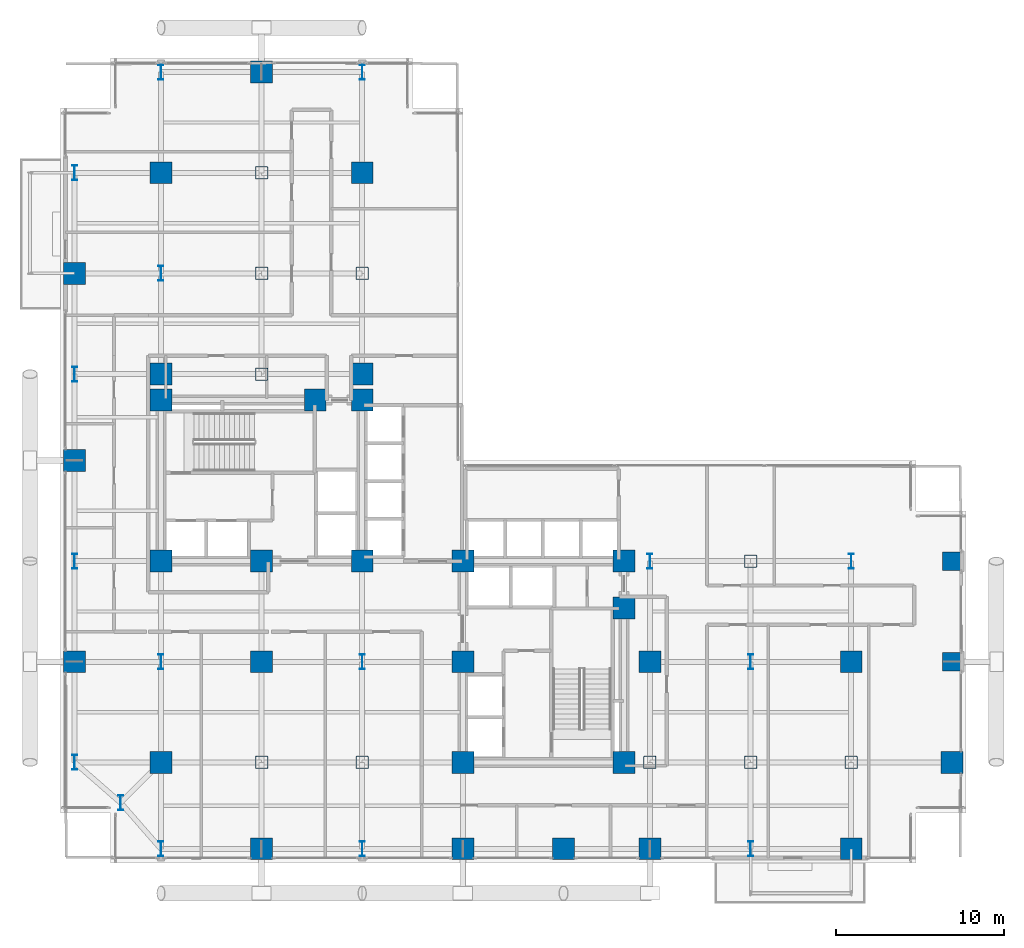
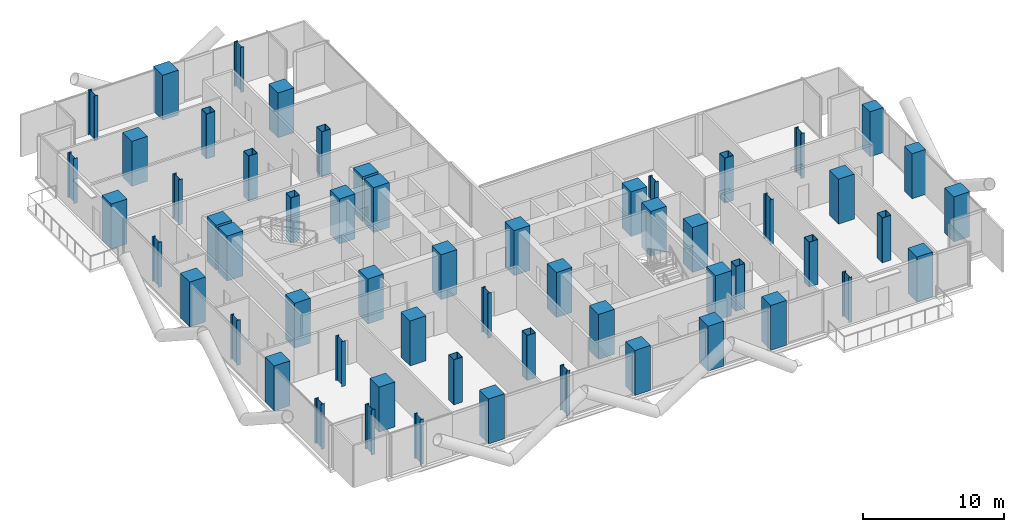
# One storey, part 1 of 27: 58 columns.
"""IFC4 building model written with IfcOpenShell, lengths in metres."""

from ifc_helpers import new_model, si_unit, direction, frame, origin, origin_2d, place, context, subcontext, project, spatial, rectangle, hollow_rectangle, i_section, extrude, material, material_profile, profile_set, type_object, element, save


model = new_model("IFC4")

# Units and contexts
model_context = context("Model", 3, precision=1e-05, world=origin(), true_north=direction((0.0, 1.0)))
body_context = subcontext(model_context, "Body", "Model", "MODEL_VIEW")
ifc_project = project(units=[si_unit("LENGTHUNIT", "METRE"), si_unit("AREAUNIT", "SQUARE_METRE"), si_unit("VOLUMEUNIT", "CUBIC_METRE"), si_unit("PLANEANGLEUNIT", "RADIAN"), si_unit("MASSUNIT", "GRAM", prefix="KILO"), si_unit("THERMODYNAMICTEMPERATUREUNIT", "KELVIN"), si_unit("POWERUNIT", "WATT")], contexts=[model_context])

# Site, building, storey
site_placement = place(None, origin())
site = spatial("IfcSite", under=ifc_project, at=site_placement, CompositionType="ELEMENT")
building_placement = place(site_placement, origin())
building = spatial("IfcBuilding", under=site, at=building_placement, Name="Svarakhadi Broadcast Tower", CompositionType="ELEMENT")
storey_placement = place(building_placement, frame((0.0, 0.0, 59.699951171875)))
storey = spatial("IfcBuildingStorey", under=building, at=storey_placement, Name="L13", CompositionType="ELEMENT", Elevation=59.699951171875)

# Columns
ifc_material_1 = material(Name="Steel S460ML (IS 2062 E450BR)", Category="steel")
ifc_material_profile_1 = material_profile(ifc_material_1, hollow_rectangle(XDim=0.75, YDim=0.75, WallThickness=0.034912109375, InnerFilletRadius=0.034912109375, OuterFilletRadius=0.050048828125, at=origin_2d()), Name="BOX 750x750x35")
ifc_profile_set_1 = profile_set([ifc_material_profile_1], Name="Steel S460ML (IS 2062 E450BR)")
column_type_1 = type_object("IfcColumnType", Name="Col_BOX750", PredefinedType="COLUMN", material=ifc_profile_set_1)
for number, where, z_axis, x_axis, name in (
    (1, (12.0, 6.0, 0.0), (0.0, 0.0, 1.0), (1.0, 0.0, 0.0), "L13 Column G19"),
    (2, (12.0, 29.14990234375, 0.0), (0.0, 0.0, 1.0), (1.0, 0.0, 0.0), "L13 Column G21"),
    (3, (12.0, 35.14990234375, 0.0), (0.0, 0.0, 1.0), (1.0, 0.0, 0.0), "L13 Column G22"),
    (4, (12.0, 41.14990234375, 0.0), (0.0, 0.0, 1.0), (1.0, 0.0, 0.0), "L13 Column G23"),
    (5, (18.0, 6.0, 0.0), (0.0, 0.0, 1.0), (1.0, 0.0, 0.0), "L13 Column G26"),
    (6, (18.0, 35.14990234375, 0.0), (0.0, 0.0, 1.0), (1.0, 0.0, 0.0), "L13 Column G29"),
    (7, (35.14990234375, 6.0, 0.0), (0.0, 0.0, 1.0), (1.0, 0.0, 0.0), "L13 Column G39"),
    (8, (41.14990234375, 6.0, 0.0), (0.0, 0.0, 1.0), (1.0, 0.0, 0.0), "L13 Column G44"),
    (9, (41.14990234375, 18.0, 0.0), (0.0, 0.0, 1.0), (1.0, 0.0, 0.0), "L13 Column G46"),
    (10, (47.14990234375, 6.0, 0.0), (0.0, 0.0, 1.0), (1.0, 0.0, 0.0), "L13 Column G51"),
):
    element("IfcColumn", number, at=place(storey_placement, frame(where, z_axis=z_axis, x_axis=x_axis)), inside=storey, type_object=column_type_1, Name=name, PredefinedType="COLUMN", context=body_context, shape_type="SweptSolid", body=[
        extrude(hollow_rectangle(XDim=0.75, YDim=0.75, WallThickness=0.034912109375, InnerFilletRadius=0.034912109375, OuterFilletRadius=0.050048828125, at=origin_2d()), origin(), (0.0, 0.0, 1.0), 3.900146484375),
    ])
ifc_material_2 = material(Name="Concrete C50/60 (IS 456 M60)", Category="concrete")
ifc_material_profile_2 = material_profile(ifc_material_2, rectangle(XDim=1.10009765625, YDim=1.10009765625, at=origin_2d()), Name="RC 1100x1100")
ifc_profile_set_2 = profile_set([ifc_material_profile_2], Name="Concrete C50/60 (IS 456 M60)")
column_type_2 = type_object("IfcColumnType", Name="Col_RC1100", PredefinedType="COLUMN", material=ifc_profile_set_2)
for number, where, z_axis, x_axis, name in (
    (11, (53.14990234375, 12.0, 0.0), (0.0, 0.0, 1.0), (1.0, 0.0, 0.0), "L13 Zone-1 East Stack Column ZT02"),
    (12, (53.14990234375, 18.0, 0.0), (0.0, 0.0, 1.0), (1.0, 0.0, 0.0), "L13 Zone-1 East Stack Column ZT03"),
):
    element("IfcColumn", number, at=place(storey_placement, frame(where, z_axis=z_axis, x_axis=x_axis)), inside=storey, type_object=column_type_2, Name=name, PredefinedType="COLUMN", context=body_context, shape_type="SweptSolid", body=[
        extrude(rectangle(XDim=1.10009765625, YDim=1.10009765625, at=origin_2d()), origin(), (0.0, 0.0, 1.0), 3.900146484375),
    ])
ifc_material_3 = material(Name="Concrete C60/75 (IS 456 M70)", Category="concrete")
ifc_material_profile_3 = material_profile(ifc_material_3, rectangle(XDim=1.300048828125, YDim=1.300048828125, at=origin_2d()), Name="RC 1300x1300")
ifc_profile_set_3 = profile_set([ifc_material_profile_3], Name="Concrete C60/75 (IS 456 M70)")
column_type_3 = type_object("IfcColumnType", Name="Col_RC1300", PredefinedType="COLUMN", material=ifc_profile_set_3)
for number, where, z_axis, x_axis, name in (
    (13, (6.0, 18.0, 0.0), (0.0, 0.0, 1.0), (1.0, 0.0, 0.0), "L13 Column CW1"),
    (14, (12.0, 18.0, 0.0), (0.0, 0.0, 1.0), (1.0, 0.0, 0.0), "L13 Column CW2"),
    (15, (18.0, 18.0, 0.0), (0.0, 0.0, 1.0), (1.0, 0.0, 0.0), "L13 Column CW3"),
    (16, (6.0, 27.60009765625, 0.0), (0.0, 0.0, 1.0), (1.0, 0.0, 0.0), "L13 Column CW4"),
    (17, (15.199951171875, 27.60009765625, 0.0), (0.0, 0.0, 1.0), (1.0, 0.0, 0.0), "L13 Column CW5"),
    (18, (18.0, 27.60009765625, 0.0), (0.0, 0.0, 1.0), (1.0, 0.0, 0.0), "L13 Column CW6"),
    (19, (24.0, 6.0, 0.0), (0.0, 0.0, 1.0), (1.0, 0.0, 0.0), "L13 Column CE1"),
    (20, (24.0, 12.0, 0.0), (0.0, 0.0, 1.0), (1.0, 0.0, 0.0), "L13 Column CE2"),
    (21, (24.0, 18.0, 0.0), (0.0, 0.0, 1.0), (1.0, 0.0, 0.0), "L13 Column CE3"),
    (22, (33.60009765625, 6.0, 0.0), (0.0, 0.0, 1.0), (1.0, 0.0, 0.0), "L13 Column CE4"),
    (23, (33.60009765625, 15.199951171875, 0.0), (0.0, 0.0, 1.0), (1.0, 0.0, 0.0), "L13 Column CE5"),
    (24, (33.60009765625, 18.0, 0.0), (0.0, 0.0, 1.0), (1.0, 0.0, 0.0), "L13 Column CE6"),
    (25, (0.85009765625, 12.0, 0.0), (0.0, 0.0, 1.0), (1.0, 0.0, 0.0), "L13 Column G04"),
    (26, (0.85009765625, 24.0, 0.0), (0.0, 0.0, 1.0), (1.0, 0.0, 0.0), "L13 Column G06"),
    (27, (0.85009765625, 35.14990234375, 0.0), (0.0, 0.0, 1.0), (1.0, 0.0, 0.0), "L13 Column G08"),
    (28, (6.0, 6.0, 0.0), (0.0, 0.0, 1.0), (1.0, 0.0, 0.0), "L13 Column G12"),
    (29, (6.0, 29.14990234375, 0.0), (0.0, 0.0, 1.0), (1.0, 0.0, 0.0), "L13 Column G14"),
    (30, (6.0, 41.14990234375, 0.0), (0.0, 0.0, 1.0), (1.0, 0.0, 0.0), "L13 Column G16"),
    (31, (12.0, 0.85009765625, 0.0), (0.0, 0.0, 1.0), (1.0, 0.0, 0.0), "L13 Column G18"),
    (32, (12.0, 12.0, 0.0), (0.0, 0.0, 1.0), (1.0, 0.0, 0.0), "L13 Column G20"),
    (33, (12.0, 47.14990234375, 0.0), (0.0, 0.0, 1.0), (1.0, 0.0, 0.0), "L13 Column G24"),
    (34, (18.0, 29.14990234375, 0.0), (0.0, 0.0, 1.0), (1.0, 0.0, 0.0), "L13 Column G28"),
    (35, (18.0, 41.14990234375, 0.0), (0.0, 0.0, 1.0), (1.0, 0.0, 0.0), "L13 Column G30"),
    (36, (24.0, 0.85009765625, 0.0), (0.0, 0.0, 1.0), (1.0, 0.0, 0.0), "L13 Column G32"),
    (37, (30.0, 0.85009765625, 0.0), (0.0, 0.0, 1.0), (1.0, 0.0, 0.0), "L13 Column G36"),
    (38, (35.14990234375, 0.85009765625, 0.0), (0.0, 0.0, 1.0), (1.0, 0.0, 0.0), "L13 Column G38"),
    (39, (35.14990234375, 12.0, 0.0), (0.0, 0.0, 1.0), (1.0, 0.0, 0.0), "L13 Column G40"),
    (40, (47.14990234375, 0.85009765625, 0.0), (0.0, 0.0, 1.0), (1.0, 0.0, 0.0), "L13 Column G50"),
    (41, (47.14990234375, 12.0, 0.0), (0.0, 0.0, 1.0), (1.0, 0.0, 0.0), "L13 Column G52"),
    (42, (53.14990234375, 6.0, 0.0), (0.0, 0.0, 1.0), (1.0, 0.0, 0.0), "L13 Column G58"),
):
    element("IfcColumn", number, at=place(storey_placement, frame(where, z_axis=z_axis, x_axis=x_axis)), inside=storey, type_object=column_type_3, Name=name, PredefinedType="COLUMN", context=body_context, shape_type="SweptSolid", body=[
        extrude(rectangle(XDim=1.300048828125, YDim=1.300048828125, at=origin_2d()), origin(), (0.0, 0.0, 1.0), 3.900146484375),
    ])
ifc_material_profile_4 = material_profile(ifc_material_1, i_section(OverallWidth=0.300048828125, OverallDepth=0.89990234375, WebThickness=0.0185546875, FlangeThickness=0.034912109375, FilletRadius=0.030029296875, at=origin_2d()), Name="WPB 900x300x291")
ifc_profile_set_4 = profile_set([ifc_material_profile_4], Name="Steel S460ML (IS 2062 E450BR)")
column_type_4 = type_object("IfcColumnType", Name="Col_WPB900", PredefinedType="COLUMN", material=ifc_profile_set_4)
for number, where, z_axis, x_axis, name in (
    (43, (3.60009765625, 3.60009765625, 0.0), (0.0, 0.0, 1.0), (1.0, 0.0, 0.0), "L13 Column G01"),
    (44, (0.85009765625, 6.0, 0.0), (0.0, 0.0, 1.0), (1.0, 0.0, 0.0), "L13 Column G03"),
    (45, (0.85009765625, 18.0, 0.0), (0.0, 0.0, 1.0), (1.0, 0.0, 0.0), "L13 Column G05"),
    (46, (0.85009765625, 29.14990234375, 0.0), (0.0, 0.0, 1.0), (1.0, 0.0, 0.0), "L13 Column G07"),
    (47, (0.85009765625, 41.14990234375, 0.0), (0.0, 0.0, 1.0), (1.0, 0.0, 0.0), "L13 Column G09"),
    (48, (6.0, 0.85009765625, 0.0), (0.0, 0.0, 1.0), (1.0, 0.0, 0.0), "L13 Column G11"),
    (49, (6.0, 12.0, 0.0), (0.0, 0.0, 1.0), (1.0, 0.0, 0.0), "L13 Column G13"),
    (50, (6.0, 35.14990234375, 0.0), (0.0, 0.0, 1.0), (1.0, 0.0, 0.0), "L13 Column G15"),
    (51, (6.0, 47.14990234375, 0.0), (0.0, 0.0, 1.0), (1.0, 0.0, 0.0), "L13 Column G17"),
    (52, (18.0, 0.85009765625, 0.0), (0.0, 0.0, 1.0), (1.0, 0.0, 0.0), "L13 Column G25"),
    (53, (18.0, 12.0, 0.0), (0.0, 0.0, 1.0), (1.0, 0.0, 0.0), "L13 Column G27"),
    (54, (18.0, 47.14990234375, 0.0), (0.0, 0.0, 1.0), (1.0, 0.0, 0.0), "L13 Column G31"),
    (55, (35.14990234375, 18.0, 0.0), (0.0, 0.0, 1.0), (1.0, 0.0, 0.0), "L13 Column G41"),
    (56, (41.14990234375, 0.85009765625, 0.0), (0.0, 0.0, 1.0), (1.0, 0.0, 0.0), "L13 Column G43"),
    (57, (41.14990234375, 12.0, 0.0), (0.0, 0.0, 1.0), (1.0, 0.0, 0.0), "L13 Column G45"),
    (58, (47.14990234375, 18.0, 0.0), (0.0, 0.0, 1.0), (1.0, 0.0, 0.0), "L13 Column G53"),
):
    element("IfcColumn", number, at=place(storey_placement, frame(where, z_axis=z_axis, x_axis=x_axis)), inside=storey, type_object=column_type_4, Name=name, PredefinedType="COLUMN", context=body_context, shape_type="SweptSolid", body=[
        extrude(i_section(OverallWidth=0.300048828125, OverallDepth=0.89990234375, WebThickness=0.0185546875, FlangeThickness=0.034912109375, FilletRadius=0.030029296875, at=origin_2d()), origin(), (0.0, 0.0, 1.0), 3.900146484375),
    ])

save(model, "model.ifc")
